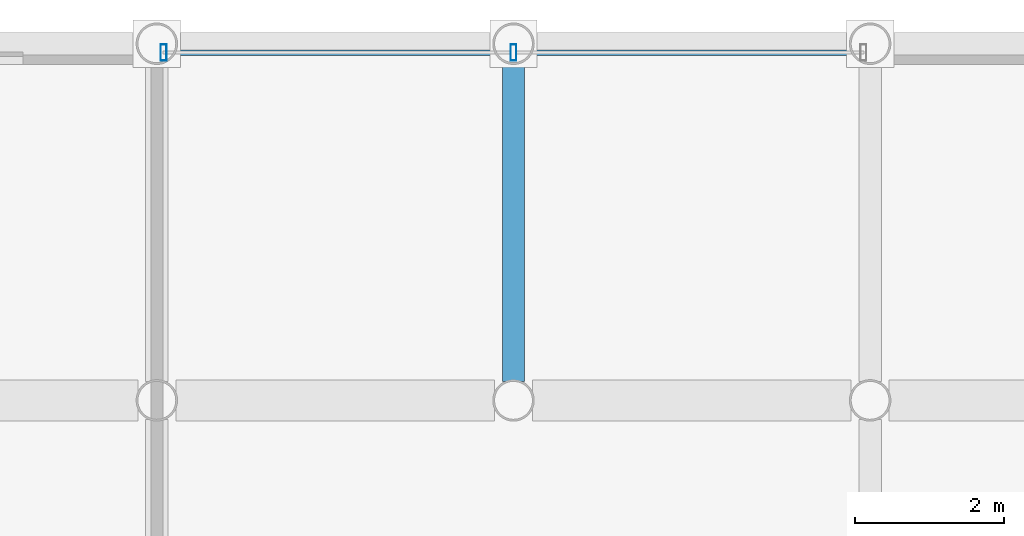
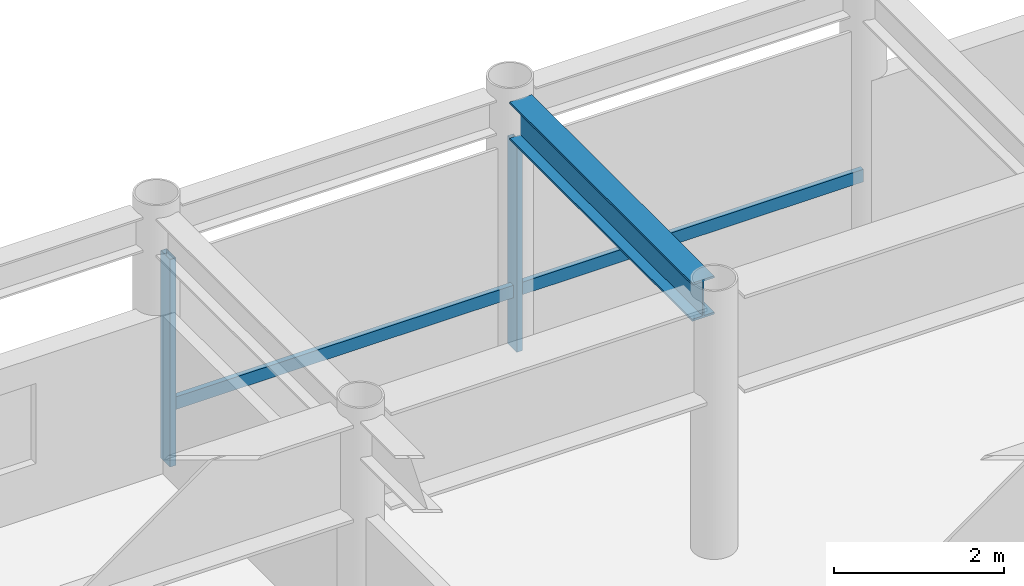
# One storey, part 14 of 26: 4 members, 1 beam, 1 element without a shape of its own.
"""IFC4 building model written with IfcOpenShell, lengths in metres."""

from ifc_helpers import new_model, si_unit, direction, frame, origin, origin_2d, place, context, subcontext, project, spatial, hollow_rectangle, i_section, extrude, material, layer, layer_set, material_profile, profile_set, type_object, element, aggregate, save


model = new_model("IFC4")

# Units and contexts
model_context = context("Model", 3, precision=1e-05, world=origin(), true_north=direction((0.0, 1.0)))
body_context = subcontext(model_context, "Body", "Model", "MODEL_VIEW")
ifc_project = project(units=[si_unit("LENGTHUNIT", "METRE"), si_unit("AREAUNIT", "SQUARE_METRE"), si_unit("VOLUMEUNIT", "CUBIC_METRE"), si_unit("PLANEANGLEUNIT", "RADIAN"), si_unit("MASSUNIT", "GRAM", prefix="KILO")], contexts=[model_context])

# Site, building, storey
site_placement = place(None, origin())
site = spatial("IfcSite", under=ifc_project, at=site_placement, CompositionType="ELEMENT")
building_placement = place(site_placement, origin())
building = spatial("IfcBuilding", under=site, at=building_placement, Name="Kallvorn Hotel Tower", CompositionType="ELEMENT")
storey_placement = place(building_placement, frame((0.0, 0.0, 222.300048828125)))
storey = spatial("IfcBuildingStorey", under=building, at=storey_placement, Name="L55", CompositionType="ELEMENT", Elevation=222.300048828125)

# Beam
ifc_material_1 = material(Name="Structural steel S355JR", Category="steel")
ifc_material_profile_1 = material_profile(ifc_material_1, i_section(OverallWidth=0.300048828125, OverallDepth=0.550048828125, WebThickness=0.014892578125, FlangeThickness=0.029052734375, at=origin_2d()), Name="HE 550 B")
ifc_profile_set_1 = profile_set([ifc_material_profile_1], Name="Structural steel S355JR")
beam_type = type_object("IfcBeamType", Name="BM_HE550B", PredefinedType="SPANDREL", material=ifc_profile_set_1)
beam_placement = place(storey_placement, frame((0.0, 19.45458984375, 3.39501953125), z_axis=(0.0, 1.0, 0.0), x_axis=(-1.0, 0.0, 0.0)))
element("IfcBeam", 1, at=beam_placement, inside=storey, type_object=beam_type, Name="L56 Primary Y-Girder 112", PredefinedType="SPANDREL", context=body_context, shape_type="SweptSolid", body=[
    extrude(i_section(OverallWidth=0.300048828125, OverallDepth=0.550048828125, WebThickness=0.014892578125, FlangeThickness=0.029052734375, at=origin_2d()), origin(), (0.0, 0.0, 1.0), 4.291015625),
])

# Curtain wall, members
ifc_material_2 = material(Name="Thermally broken black-anodised aluminium AA 6063-T6", Category="aluminium")
ifc_layer = layer(ifc_material_2, 0.22998046875)
ifc_layer_set = layer_set([ifc_layer], Name="CW_SYS_5_HOTEL_HIGH")
curtain_wall_type = type_object("IfcCurtainWallType", Name="CW_SYS_5_HOTEL_HIGH", PredefinedType="USERDEFINED", material=ifc_layer_set)
curtain_wall_placement = place(storey_placement, origin())
curtain_wall = element("IfcCurtainWall", 2, at=curtain_wall_placement, inside=storey, type_object=curtain_wall_type, Name="L55 Dark-Glass Curtain Wall CW-L55-NC", ObjectType="UNITISED CURTAIN WALL", PredefinedType="USERDEFINED")
ifc_material_3 = material(Name="Thermally broken black-anodised aluminium AA 6063-T6", Category="aluminium")
ifc_material_profile_2 = material_profile(ifc_material_3, hollow_rectangle(XDim=0.080078125, YDim=0.219970703125, WallThickness=0.0048828125, at=origin_2d()), Name="MUL 220x80")
ifc_profile_set_2 = profile_set([ifc_material_profile_2], Name="Thermally broken black-anodised aluminium AA 6063-T6")
member_type_1 = type_object("IfcMemberType", Name="CW_MULLION_220x80", PredefinedType="MULLION", material=ifc_profile_set_2)
member_1_placement = place(storey_placement, frame((-4.7099609375, 23.8798828125, 0.02001953125), z_axis=(0.0, 0.0, 1.0), x_axis=(1.0, 0.0, 0.0)))
member_1 = element("IfcMember", 3, at=member_1_placement, type_object=member_type_1, Name="CW-L55-NC Mullion 00", PredefinedType="MULLION", context=body_context, shape_type="SweptSolid", body=[
    extrude(hollow_rectangle(XDim=0.080078125, YDim=0.219970703125, WallThickness=0.0048828125, at=origin_2d()), origin(), (0.0, 0.0, 1.0), 2.97998046875),
])
member_2_placement = place(storey_placement, frame((0.0, 23.8798828125, 0.02001953125), z_axis=(0.0, 0.0, 1.0), x_axis=(1.0, 0.0, 0.0)))
member_2 = element("IfcMember", 4, at=member_2_placement, type_object=member_type_1, Name="CW-L55-NC Mullion 01", PredefinedType="MULLION", context=body_context, shape_type="SweptSolid", body=[
    extrude(hollow_rectangle(XDim=0.080078125, YDim=0.219970703125, WallThickness=0.0048828125, at=origin_2d()), origin(), (0.0, 0.0, 1.0), 2.97998046875),
])
ifc_material_4 = material(Name="Thermally broken black-anodised aluminium AA 6063-T6", Category="aluminium")
ifc_material_profile_3 = material_profile(ifc_material_4, hollow_rectangle(XDim=0.070068359375, YDim=0.179931640625, WallThickness=0.00390625, at=origin_2d()), Name="TRN 180x70")
ifc_profile_set_3 = profile_set([ifc_material_profile_3], Name="Thermally broken black-anodised aluminium AA 6063-T6")
member_type_2 = type_object("IfcMemberType", Name="CW_TRANSOM_180x70", PredefinedType="USERDEFINED", material=ifc_profile_set_3)
member_3_placement = place(storey_placement, frame((-4.7099609375, 23.8798828125, 0.849853515625), z_axis=(1.0, 0.0, 0.0), x_axis=(0.0, 1.0, 0.0)))
member_3 = element("IfcMember", 5, at=member_3_placement, type_object=member_type_2, Name="CW-L55-NC Transom 00M", ObjectType="TRANSOM", PredefinedType="USERDEFINED", context=body_context, shape_type="SweptSolid", body=[
    extrude(hollow_rectangle(XDim=0.070068359375, YDim=0.179931640625, WallThickness=0.00390625, at=origin_2d()), origin(), (0.0, 0.0, 1.0), 4.669921875),
])
member_4_placement = place(storey_placement, frame((0.0400390625, 23.8798828125, 0.849853515625), z_axis=(1.0, 0.0, 0.0), x_axis=(0.0, 1.0, 0.0)))
member_4 = element("IfcMember", 6, at=member_4_placement, type_object=member_type_2, Name="CW-L55-NC Transom 01M", ObjectType="TRANSOM", PredefinedType="USERDEFINED", context=body_context, shape_type="SweptSolid", body=[
    extrude(hollow_rectangle(XDim=0.070068359375, YDim=0.179931640625, WallThickness=0.00390625, at=origin_2d()), origin(), (0.0, 0.0, 1.0), 4.669921875),
])
aggregate(curtain_wall, [member_1, member_2, member_3, member_4])

save(model, "model.ifc")
